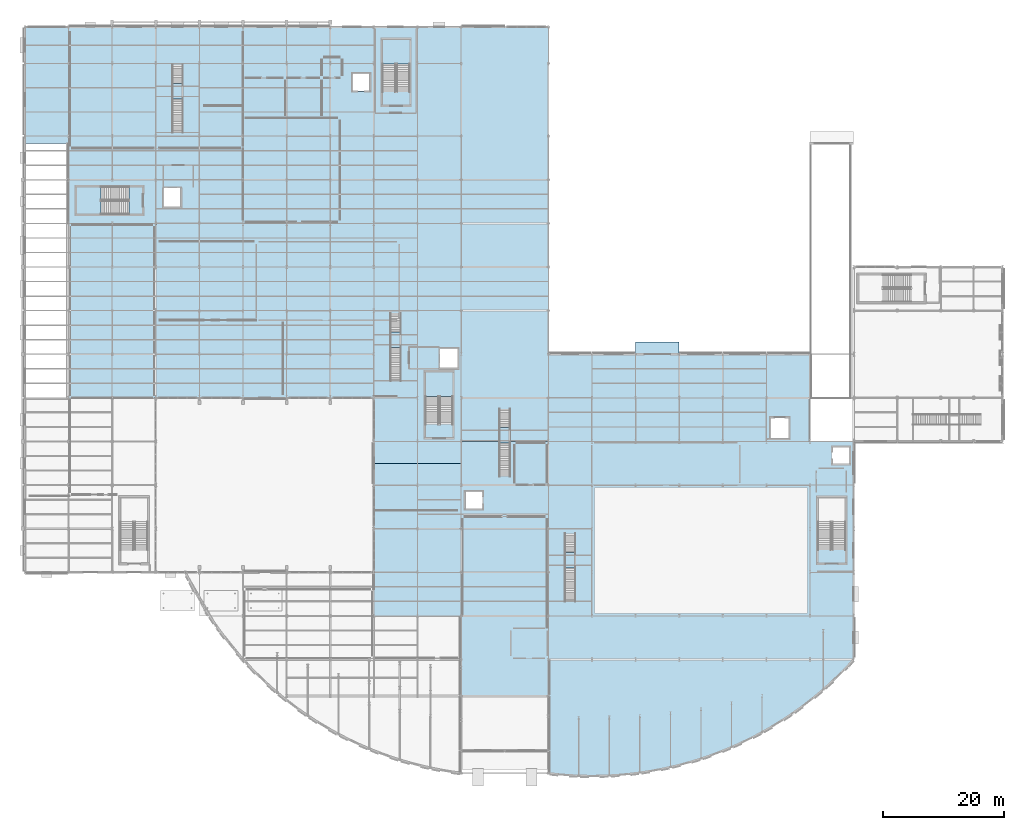
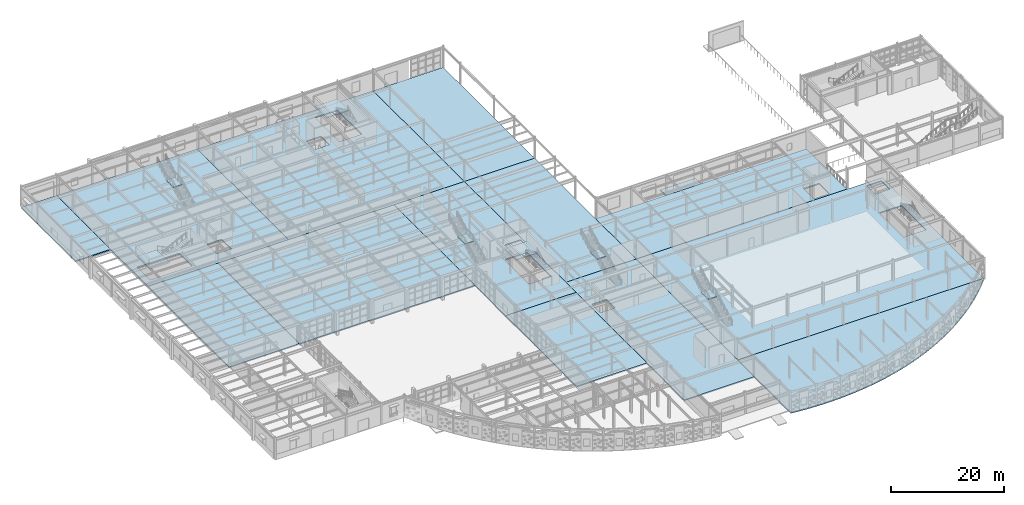
# One storey, part 52 of 83: 21 slabs, 7 elements without a shape of their own.
"""IFC4 building model written with IfcOpenShell, lengths in metres."""

from ifc_helpers import new_model, si_unit, direction, frame, origin, place, context, subcontext, project, spatial, polyline, outline, extrude, material, layer, layer_set, type_object, element, aggregate, save


model = new_model("IFC4")

# Units and contexts
model_context = context("Model", 3, precision=1e-05, world=origin(), true_north=direction((0.0, 1.0)))
body_context = subcontext(model_context, "Body", "Model", "MODEL_VIEW")
ifc_project = project(units=[si_unit("LENGTHUNIT", "METRE"), si_unit("AREAUNIT", "SQUARE_METRE"), si_unit("VOLUMEUNIT", "CUBIC_METRE"), si_unit("PLANEANGLEUNIT", "RADIAN"), si_unit("MASSUNIT", "GRAM", prefix="KILO")], contexts=[model_context])

# Site, building, storey
site_placement = place(None, origin())
site = spatial("IfcSite", under=ifc_project, at=site_placement, CompositionType="ELEMENT")
building_placement = place(site_placement, origin())
building = spatial("IfcBuilding", under=site, at=building_placement, Name="Solvadek Multi-Sports Hall", CompositionType="ELEMENT")
storey_placement = place(building_placement, origin())
storey = spatial("IfcBuildingStorey", under=building, at=storey_placement, Name="L00", CompositionType="ELEMENT", Elevation=0.0)

# Stair, slab
ifc_material_1 = material(Name="Concrete M35", Category="concrete")
stair_type_1 = type_object("IfcStairType", Name="INT-STR-DOG220", PredefinedType="USERDEFINED", material=ifc_material_1)
stair_1_placement = place(storey_placement, origin())
stair_1 = element("IfcStair", 1, at=stair_1_placement, inside=storey, type_object=stair_type_1, Name="L00 Exit Stair Core ST-02 (NW Track Headhouse)", ObjectType="TWO_RUN_STAIR", PredefinedType="USERDEFINED")
ifc_layer_1 = layer(ifc_material_1, 0.199951171875, Name="Concrete M35")
ifc_layer_set_1 = layer_set([ifc_layer_1], Name="Concrete M35")
slab_type_1 = type_object("IfcSlabType", Name="INT-LND-RC200", PredefinedType="LANDING", material=ifc_layer_set_1)
slab_1_placement = place(storey_placement, frame((0.0, 0.0, 2.199951171875)))
slab_1 = element("IfcSlab", 2, at=slab_1_placement, type_object=slab_type_1, Name="ST-02 landing 1", PredefinedType="LANDING", context=body_context, shape_type="SweptSolid", body=[
    extrude(outline(polyline([(12.550048828125, 84.050048828125), (8.5, 84.050048828125), (8.5, 79.5), (12.550048828125, 79.5), (12.550048828125, 84.050048828125)])), origin(), (0.0, 0.0, 1.0), 0.199951171875),
])
aggregate(stair_1, [slab_1])

stair_2_placement = place(storey_placement, origin())
stair_2 = element("IfcStair", 3, at=stair_2_placement, inside=storey, type_object=stair_type_1, Name="L00 Exit Stair Core ST-03 (North Avenue Podium)", ObjectType="TWO_RUN_STAIR", PredefinedType="USERDEFINED")
slab_2_placement = place(storey_placement, frame((0.0, 0.0, 2.199951171875)))
slab_2 = element("IfcSlab", 4, at=slab_2_placement, type_object=slab_type_1, Name="ST-03 landing 1", PredefinedType="LANDING", context=body_context, shape_type="SweptSolid", body=[
    extrude(outline(polyline([(63.550048828125, 104.35009765625), (63.550048828125, 108.39990234375), (59.0, 108.39990234375), (59.0, 104.35009765625), (63.550048828125, 104.35009765625)])), origin(), (0.0, 0.0, 1.0), 0.199951171875),
])
aggregate(stair_2, [slab_2])

stair_3_placement = place(storey_placement, origin())
stair_3 = element("IfcStair", 5, at=stair_3_placement, inside=storey, type_object=stair_type_1, Name="L00 Exit Stair Core ST-04 (Central Passage West)", ObjectType="TWO_RUN_STAIR", PredefinedType="USERDEFINED")
slab_3_placement = place(storey_placement, frame((0.0, 0.0, 2.199951171875)))
slab_3 = element("IfcSlab", 6, at=slab_3_placement, type_object=slab_type_1, Name="ST-04 landing 1", PredefinedType="LANDING", context=body_context, shape_type="SweptSolid", body=[
    extrude(outline(polyline([(70.64990234375, 49.449951171875), (70.64990234375, 53.5), (66.10009765625, 53.5), (66.10009765625, 49.449951171875), (70.64990234375, 49.449951171875)])), origin(), (0.0, 0.0, 1.0), 0.199951171875),
])
aggregate(stair_3, [slab_3])

ifc_material_2 = material(Name="Steel E350 (350 MPa)", Category="steel")
stair_type_2 = type_object("IfcStairType", Name="INT-STR-MON260", PredefinedType="STRAIGHT_RUN_STAIR", material=ifc_material_2)
stair_4_placement = place(storey_placement, origin())
stair_4 = element("IfcStair", 7, at=stair_4_placement, inside=storey, type_object=stair_type_2, Name="L00 Monumental and Access Stair ST-07", PredefinedType="STRAIGHT_RUN_STAIR")
slab_4_placement = place(storey_placement, frame((0.0, 0.0, 2.800048828125)))
slab_4 = element("IfcSlab", 8, at=slab_4_placement, type_object=slab_type_1, Name="ST-07 landing 1", PredefinedType="LANDING", context=body_context, shape_type="SweptSolid", body=[
    extrude(outline(polyline([(80.125, 41.719970703125), (80.125, 44.280029296875), (78.27490234375, 44.280029296875), (78.27490234375, 41.719970703125), (80.125, 41.719970703125)])), origin(), (0.0, 0.0, 1.0), 0.199951171875),
])
aggregate(stair_4, [slab_4])

stair_type_3 = type_object("IfcStairType", Name="INT-STR-VOM180", PredefinedType="STRAIGHT_RUN_STAIR", material=ifc_material_1)
stair_5_placement = place(storey_placement, origin())
stair_5 = element("IfcStair", 9, at=stair_5_placement, inside=storey, type_object=stair_type_3, Name="L00 Monumental and Access Stair ST-09", PredefinedType="STRAIGHT_RUN_STAIR")
slab_5_placement = place(storey_placement, frame((0.0, 0.0, 2.800048828125)))
slab_5 = element("IfcSlab", 10, at=slab_5_placement, type_object=slab_type_1, Name="ST-09 landing 1", PredefinedType="LANDING", context=body_context, shape_type="SweptSolid", body=[
    extrude(outline(polyline([(90.89990234375, 21.1201171875), (90.89990234375, 23.679931640625), (89.10009765625, 23.679931640625), (89.10009765625, 21.1201171875), (90.89990234375, 21.1201171875)])), origin(), (0.0, 0.0, 1.0), 0.199951171875),
])
aggregate(stair_5, [slab_5])

stair_6_placement = place(storey_placement, origin())
stair_6 = element("IfcStair", 11, at=stair_6_placement, inside=storey, type_object=stair_type_3, Name="L00 Monumental and Access Stair ST-10", PredefinedType="STRAIGHT_RUN_STAIR")
slab_6_placement = place(storey_placement, frame((0.0, 0.0, 2.800048828125)))
slab_6 = element("IfcSlab", 12, at=slab_6_placement, type_object=slab_type_1, Name="ST-10 landing 1", PredefinedType="LANDING", context=body_context, shape_type="SweptSolid", body=[
    extrude(outline(polyline([(62.10009765625, 57.52001953125), (62.10009765625, 60.080078125), (60.300048828125, 60.080078125), (60.300048828125, 57.52001953125), (62.10009765625, 57.52001953125)])), origin(), (0.0, 0.0, 1.0), 0.199951171875),
])
aggregate(stair_6, [slab_6])

stair_7_placement = place(storey_placement, origin())
stair_7 = element("IfcStair", 13, at=stair_7_placement, inside=storey, type_object=stair_type_3, Name="L00 Monumental and Access Stair ST-12", PredefinedType="STRAIGHT_RUN_STAIR")
slab_7_placement = place(storey_placement, frame((0.0, 0.0, 2.800048828125)))
slab_7 = element("IfcSlab", 14, at=slab_7_placement, type_object=slab_type_1, Name="ST-12 landing 1", PredefinedType="LANDING", context=body_context, shape_type="SweptSolid", body=[
    extrude(outline(polyline([(26.10009765625, 98.52001953125), (26.10009765625, 101.080078125), (24.300048828125, 101.080078125), (24.300048828125, 98.52001953125), (26.10009765625, 98.52001953125)])), origin(), (0.0, 0.0, 1.0), 0.199951171875),
])
aggregate(stair_7, [slab_7])

# Slabs
ifc_layer_2 = layer(ifc_material_1, 0.219970703125, Name="Concrete M35")
ifc_layer_set_2 = layer_set([ifc_layer_2], Name="Concrete M35")
slab_type_2 = type_object("IfcSlabType", Name="STR-SLB-APP220", PredefinedType="USERDEFINED", material=ifc_layer_set_2)
slab_8_placement = place(storey_placement, frame((0.0, 0.0, -0.219970703125)))
element("IfcSlab", 15, at=slab_8_placement, inside=storey, type_object=slab_type_2, Name="L00 Exterior Approach Apron #51", ObjectType="APPROACH_SLAB", PredefinedType="USERDEFINED", context=body_context, shape_type="SweptSolid", body=[
    extrude(outline(polyline([(100.800048828125, 58.39990234375), (108.0, 58.39990234375), (108.0, 56.39990234375), (100.800048828125, 56.39990234375), (100.800048828125, 58.39990234375)])), origin(), (0.0, 0.0, 1.0), 0.219970703125),
])
ifc_layer_3 = layer(ifc_material_1, 0.25, Name="Concrete M35")
ifc_layer_set_3 = layer_set([ifc_layer_3], Name="Concrete M35")
slab_type_3 = type_object("IfcSlabType", Name="STR-SLB-FLR250", PredefinedType="FLOOR", material=ifc_layer_set_3)
slab_9_placement = place(storey_placement, frame((0.0, 0.0, -0.25)))
element("IfcSlab", 16, at=slab_9_placement, inside=storey, type_object=slab_type_3, Name="L00 East Crescent Curved Slab #20", PredefinedType="FLOOR", context=body_context, shape_type="SweptSolid", body=[
    extrude(outline(polyline([(136.800048828125, 6.0), (135.1201171875, 4.216064453125), (133.43994140625, 2.573486328125), (131.760009765625, 1.05615234375), (130.080078125, -0.34814453125), (128.39990234375, -1.64990234375), (126.719970703125, -2.857177734375), (125.0400390625, -3.977294921875), (123.360107421875, -5.015869140625), (121.679931640625, -5.97802734375), (120.0, -6.867919921875), (118.320068359375, -7.689208984375), (116.639892578125, -8.4453125), (114.9599609375, -9.138671875), (113.280029296875, -9.771728515625), (111.60009765625, -10.346435546875), (109.919921875, -10.864990234375), (108.239990234375, -11.32861328125), (106.56005859375, -11.73876953125), (104.8798828125, -12.096435546875), (103.199951171875, -12.40283203125), (101.52001953125, -12.65869140625), (99.840087890625, -12.864501953125), (98.159912109375, -13.02099609375), (96.47998046875, -13.128662109375), (94.800048828125, -13.1875), (93.1201171875, -13.197998046875), (91.43994140625, -13.159912109375), (89.760009765625, -13.0732421875), (88.080078125, -12.9375), (86.39990234375, -12.7529296875), (86.39990234375, 6.0), (136.800048828125, 6.0)])), origin(), (0.0, 0.0, 1.0), 0.25),
])
slab_10_placement = place(storey_placement, frame((0.0, 0.0, -0.25)))
element("IfcSlab", 17, at=slab_10_placement, inside=storey, type_object=slab_type_3, Name="L00 Ground Floor Slab #34", PredefinedType="FLOOR", context=body_context, shape_type="SweptSolid", body=[
    extrude(outline(polyline([(7.199951171875, 77.780029296875), (7.419921875, 78.0), (21.60009765625, 78.0), (21.60009765625, 49.419921875), (21.3798828125, 49.199951171875), (7.199951171875, 49.199951171875), (7.199951171875, 77.780029296875)])), origin(), (0.0, 0.0, 1.0), 0.25),
])
slab_11_placement = place(storey_placement, frame((0.0, 0.0, -0.25)))
element("IfcSlab", 18, at=slab_11_placement, inside=storey, type_object=slab_type_3, Name="L00 Ground Floor Slab #36", PredefinedType="FLOOR", context=body_context, shape_type="SweptSolid", body=[
    extrude(outline(polyline([(21.60009765625, 49.419921875), (21.60009765625, 77.780029296875), (21.820068359375, 78.0), (57.60009765625, 78.0), (57.60009765625, 49.419921875), (57.3798828125, 49.199951171875), (21.60009765625, 49.199951171875), (21.60009765625, 49.419921875)])), origin(), (0.0, 0.0, 1.0), 0.25),
])
slab_12_placement = place(storey_placement, frame((0.0, 0.0, -0.25)))
element("IfcSlab", 19, at=slab_12_placement, inside=storey, type_object=slab_type_3, Name="L00 Ground Floor Slab #37", PredefinedType="FLOOR", context=body_context, shape_type="SweptSolid", body=[
    extrude(outline(polyline([(57.60009765625, 13.419921875), (57.60009765625, 20.39990234375), (57.60009765625, 38.179931640625), (57.820068359375, 38.39990234375), (72.0, 38.39990234375), (72.0, 13.419921875), (71.780029296875, 13.199951171875), (57.60009765625, 13.199951171875), (57.60009765625, 13.419921875)])), origin(), (0.0, 0.0, 1.0), 0.25),
])
slab_13_placement = place(storey_placement, frame((0.0, 0.0, -0.25)))
element("IfcSlab", 20, at=slab_13_placement, inside=storey, type_object=slab_type_3, Name="L00 Ground Floor Slab #38", PredefinedType="FLOOR", context=body_context, shape_type="SweptSolid", body=[
    extrude(outline(polyline([(57.60009765625, 49.419921875), (57.60009765625, 78.0), (72.0, 78.0), (72.0, 38.39990234375), (57.820068359375, 38.39990234375), (57.60009765625, 38.39990234375), (57.60009765625, 49.419921875)]), holes=[polyline([(71.60009765625, 54.0), (71.60009765625, 57.39990234375), (68.39990234375, 57.39990234375), (68.39990234375, 54.0), (71.60009765625, 54.0)]), polyline([(70.64990234375, 53.5), (66.10009765625, 53.5), (66.10009765625, 44.844970703125), (70.64990234375, 44.844970703125), (70.64990234375, 53.5)])]), origin(), (0.0, 0.0, 1.0), 0.25),
])
slab_14_placement = place(storey_placement, frame((0.0, 0.0, -0.25)))
element("IfcSlab", 21, at=slab_14_placement, inside=storey, type_object=slab_type_3, Name="L00 Covered Civic Deck #40", PredefinedType="FLOOR", context=body_context, shape_type="SweptSolid", body=[
    extrude(outline(polyline([(0.0, 110.39990234375), (7.199951171875, 110.39990234375), (7.199951171875, 91.199951171875), (0.0, 91.199951171875), (0.0, 110.39990234375)])), origin(), (0.0, 0.0, 1.0), 0.25),
])
slab_15_placement = place(storey_placement, frame((0.0, 0.0, -0.25)))
element("IfcSlab", 22, at=slab_15_placement, inside=storey, type_object=slab_type_3, Name="L00 Ground Floor Slab #41", PredefinedType="FLOOR", context=body_context, shape_type="SweptSolid", body=[
    extrude(outline(polyline([(7.199951171875, 91.199951171875), (7.199951171875, 110.39990234375), (36.0, 110.39990234375), (36.0, 78.0), (21.820068359375, 78.0), (21.60009765625, 78.0), (7.419921875, 78.0), (7.199951171875, 78.0), (7.199951171875, 91.199951171875)]), holes=[polyline([(25.800048828125, 80.60009765625), (25.800048828125, 84.0), (22.800048828125, 84.0), (22.800048828125, 80.60009765625), (25.800048828125, 80.60009765625)]), polyline([(8.5, 84.050048828125), (8.5, 79.5), (17.155029296875, 79.5), (17.155029296875, 84.050048828125), (8.5, 84.050048828125)])]), origin(), (0.0, 0.0, 1.0), 0.25),
])
slab_16_placement = place(storey_placement, frame((0.0, 0.0, -0.25)))
element("IfcSlab", 23, at=slab_16_placement, inside=storey, type_object=slab_type_3, Name="L00 Ground Floor Slab #42", PredefinedType="FLOOR", context=body_context, shape_type="SweptSolid", body=[
    extrude(outline(polyline([(36.0, 110.39990234375), (72.0, 110.39990234375), (72.0, 78.0), (57.60009765625, 78.0), (36.0, 78.0), (36.0, 110.39990234375)]), holes=[polyline([(63.550048828125, 108.39990234375), (59.0, 108.39990234375), (59.0, 99.7451171875), (63.550048828125, 99.7451171875), (63.550048828125, 108.39990234375)]), polyline([(57.0, 99.800048828125), (57.0, 102.800048828125), (54.0, 102.800048828125), (54.0, 99.800048828125), (57.0, 99.800048828125)])]), origin(), (0.0, 0.0, 1.0), 0.25),
])
slab_17_placement = place(storey_placement, frame((0.0, 0.0, -0.25)))
element("IfcSlab", 24, at=slab_17_placement, inside=storey, type_object=slab_type_3, Name="L00 Ground Floor Slab #43", PredefinedType="FLOOR", context=body_context, shape_type="SweptSolid", body=[
    extrude(outline(polyline([(72.0, 13.199951171875), (72.0, 13.419921875), (72.0, 38.39990234375), (72.0, 42.0), (86.39990234375, 42.0), (86.39990234375, 6.0), (86.39990234375, 0.0), (72.0, 0.0), (72.0, 13.199951171875)]), holes=[polyline([(75.60009765625, 30.800048828125), (75.60009765625, 33.800048828125), (72.60009765625, 33.800048828125), (72.60009765625, 30.800048828125), (75.60009765625, 30.800048828125)])]), origin(), (0.0, 0.0, 1.0), 0.25),
])
slab_18_placement = place(storey_placement, frame((0.0, 0.0, -0.25)))
element("IfcSlab", 25, at=slab_18_placement, inside=storey, type_object=slab_type_3, Name="L00 Covered Civic Deck #44", PredefinedType="FLOOR", context=body_context, shape_type="SweptSolid", body=[
    extrude(outline(polyline([(72.0, 78.0), (86.39990234375, 78.0), (86.39990234375, 42.0), (72.0, 42.0), (72.0, 78.0)])), origin(), (0.0, 0.0, 1.0), 0.25),
])
slab_19_placement = place(storey_placement, frame((0.0, 0.0, -0.25)))
element("IfcSlab", 26, at=slab_19_placement, inside=storey, type_object=slab_type_3, Name="L00 Covered Civic Deck #45", PredefinedType="FLOOR", context=body_context, shape_type="SweptSolid", body=[
    extrude(outline(polyline([(72.0, 110.39990234375), (86.39990234375, 110.39990234375), (86.39990234375, 78.0), (72.0, 78.0), (72.0, 110.39990234375)])), origin(), (0.0, 0.0, 1.0), 0.25),
])
slab_20_placement = place(storey_placement, frame((0.0, 0.0, -0.25)))
element("IfcSlab", 27, at=slab_20_placement, inside=storey, type_object=slab_type_3, Name="L00 Ground Floor Slab #46", PredefinedType="FLOOR", context=body_context, shape_type="SweptSolid", body=[
    extrude(outline(polyline([(86.39990234375, 42.0), (136.800048828125, 42.0), (136.800048828125, 6.0), (86.39990234375, 6.0), (86.39990234375, 42.0)]), holes=[polyline([(136.199951171875, 38.199951171875), (136.199951171875, 41.199951171875), (133.199951171875, 41.199951171875), (133.199951171875, 38.199951171875), (136.199951171875, 38.199951171875)]), polyline([(135.449951171875, 32.800048828125), (130.89990234375, 32.800048828125), (130.89990234375, 24.14501953125), (135.449951171875, 24.14501953125), (135.449951171875, 32.800048828125)])]), origin(), (0.0, 0.0, 1.0), 0.25),
])
slab_21_placement = place(storey_placement, frame((0.0, 0.0, -0.25)))
element("IfcSlab", 28, at=slab_21_placement, inside=storey, type_object=slab_type_3, Name="L00 Covered Civic Deck #47", PredefinedType="FLOOR", context=body_context, shape_type="SweptSolid", body=[
    extrude(outline(polyline([(86.39990234375, 56.39990234375), (129.60009765625, 56.39990234375), (129.60009765625, 42.0), (86.39990234375, 42.0), (86.39990234375, 56.39990234375)]), holes=[polyline([(126.199951171875, 42.39990234375), (126.199951171875, 46.0), (123.0, 46.0), (123.0, 42.39990234375), (126.199951171875, 42.39990234375)])]), origin(), (0.0, 0.0, 1.0), 0.25),
])

save(model, "model.ifc")
